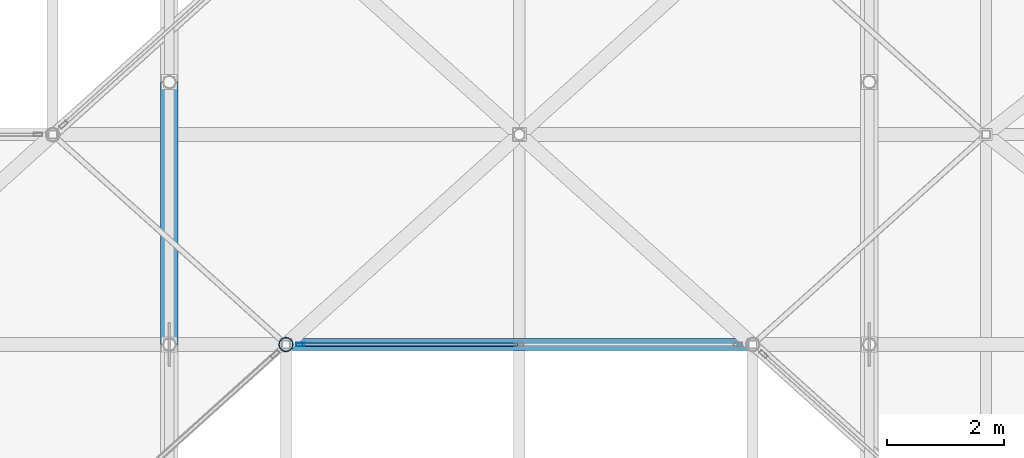
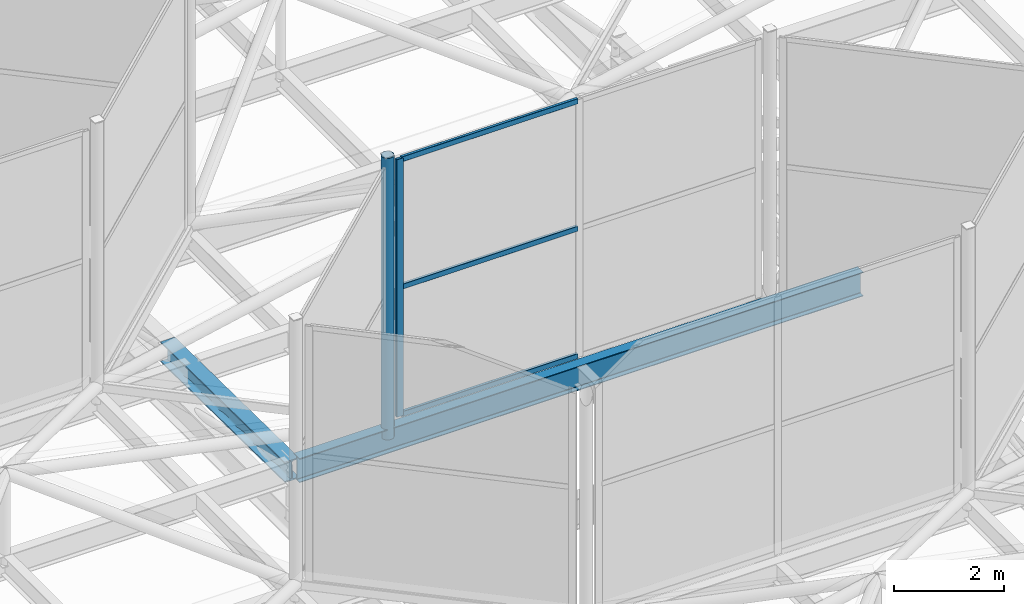
# One storey, part 120 of 239: 5 members, 2 beams, 1 element without a shape of its own.
"""IFC4 building model written with IfcOpenShell, lengths in metres."""

from ifc_helpers import new_model, si_unit, direction, frame, origin, origin_2d, place, context, subcontext, project, spatial, hollow_rectangle, hollow_circle, i_section, extrude, material, layer, layer_set, material_profile, profile_set, type_object, element, aggregate, save


model = new_model("IFC4")

# Units and contexts
model_context = context("Model", 3, precision=1e-05, world=origin(), true_north=direction((0.0, 1.0)))
body_context = subcontext(model_context, "Body", "Model", "MODEL_VIEW")
ifc_project = project(units=[si_unit("LENGTHUNIT", "METRE"), si_unit("AREAUNIT", "SQUARE_METRE"), si_unit("VOLUMEUNIT", "CUBIC_METRE"), si_unit("PLANEANGLEUNIT", "RADIAN"), si_unit("MASSUNIT", "GRAM", prefix="KILO")], contexts=[model_context])

# Site, building, storey
site_placement = place(None, origin())
site = spatial("IfcSite", under=ifc_project, at=site_placement, CompositionType="ELEMENT")
building_placement = place(site_placement, origin())
building = spatial("IfcBuilding", under=site, at=building_placement, Name="Dunvalen Ferry Terminal", CompositionType="ELEMENT")
storey_placement = place(building_placement, frame((0.0, 0.0, 9.840087890625)))
storey = spatial("IfcBuildingStorey", under=building, at=storey_placement, Name="L02", CompositionType="ELEMENT", Elevation=9.840087890625)

# Curtain wall, members
ifc_material_1 = material(Name="Anodised marine aluminium and solar-control glazing", Category="aluminium")
ifc_layer = layer(ifc_material_1, 0.179931640625, Name="Anodised marine aluminium and solar-control glazing")
ifc_layer_set = layer_set([ifc_layer], Name="Anodised marine aluminium and solar-control glazing")
curtain_wall_type = type_object("IfcCurtainWallType", Name="ENV-CW-SYS-05", PredefinedType="NOTDEFINED", material=ifc_layer_set)
curtain_wall_placement = place(storey_placement, origin())
curtain_wall = element("IfcCurtainWall", 1, at=curtain_wall_placement, inside=storey, type_object=curtain_wall_type, Name="L02 Curtain Wall CW-HEX-36-SK-5", PredefinedType="NOTDEFINED")
ifc_material_2 = material(Name="Anodised marine aluminium EN AW-6063 T6", Category="aluminium")
ifc_material_profile_1 = material_profile(ifc_material_2, hollow_rectangle(XDim=0.06005859375, YDim=0.14990234375, WallThickness=0.00341796875, InnerFilletRadius=0.00341796875, OuterFilletRadius=0.007080078125, at=origin_2d()), Name="Anodised marine aluminium EN AW-6063 T6")
ifc_profile_set_1 = profile_set([ifc_material_profile_1], Name="Anodised marine aluminium EN AW-6063 T6")
member_type_1 = type_object("IfcMemberType", Name="ENV-CW-MUL-3", PredefinedType="MULLION", material=ifc_profile_set_1)
member_1_placement = place(storey_placement, frame((74.25, 68.39990234375, 1.139892578125), z_axis=(0.0, 0.0, 1.0), x_axis=(0.0, -1.0, 0.0)))
member_1 = element("IfcMember", 2, at=member_1_placement, type_object=member_type_1, Name="CW-05 mullion 3", PredefinedType="MULLION", context=body_context, shape_type="SweptSolid", body=[
    extrude(hollow_rectangle(XDim=0.06005859375, YDim=0.14990234375, WallThickness=0.00341796875, InnerFilletRadius=0.00341796875, OuterFilletRadius=0.007080078125, at=origin_2d()), origin(), (0.0, 0.0, 1.0), 5.699951171875),
])
ifc_material_profile_2 = material_profile(ifc_material_2, hollow_rectangle(XDim=0.06005859375, YDim=0.114990234375, WallThickness=0.0029296875, InnerFilletRadius=0.0029296875, OuterFilletRadius=0.006103515625, at=origin_2d()), Name="Anodised marine aluminium EN AW-6063 T6")
ifc_profile_set_2 = profile_set([ifc_material_profile_2], Name="Anodised marine aluminium EN AW-6063 T6")
member_type_2 = type_object("IfcMemberType", Name="ENV-CW-TRN-3", PredefinedType="USERDEFINED", material=ifc_profile_set_2)
member_2_placement = place(storey_placement, frame((77.969970703125, 68.39990234375, 1.169921875), z_axis=(-1.0, 0.0, 0.0), x_axis=(0.0, -1.0, 0.0)))
member_2 = element("IfcMember", 3, at=member_2_placement, type_object=member_type_2, Name="CW-05 transom 2.1", ObjectType="TRANSOM", PredefinedType="USERDEFINED", context=body_context, shape_type="SweptSolid", body=[
    extrude(hollow_rectangle(XDim=0.06005859375, YDim=0.114990234375, WallThickness=0.0029296875, InnerFilletRadius=0.0029296875, OuterFilletRadius=0.006103515625, at=origin_2d()), origin(), (0.0, 0.0, 1.0), 3.68994140625),
])
member_3_placement = place(storey_placement, frame((77.969970703125, 68.39990234375, 3.989990234375), z_axis=(-1.0, 0.0, 0.0), x_axis=(0.0, -1.0, 0.0)))
member_3 = element("IfcMember", 4, at=member_3_placement, type_object=member_type_2, Name="CW-05 transom 2.2", ObjectType="TRANSOM", PredefinedType="USERDEFINED", context=body_context, shape_type="SweptSolid", body=[
    extrude(hollow_rectangle(XDim=0.06005859375, YDim=0.114990234375, WallThickness=0.0029296875, InnerFilletRadius=0.0029296875, OuterFilletRadius=0.006103515625, at=origin_2d()), origin(), (0.0, 0.0, 1.0), 3.68994140625),
])
member_4_placement = place(storey_placement, frame((77.969970703125, 68.39990234375, 6.809814453125), z_axis=(-1.0, 0.0, 0.0), x_axis=(0.0, -1.0, 0.0)))
member_4 = element("IfcMember", 5, at=member_4_placement, type_object=member_type_2, Name="CW-05 transom 2.3", ObjectType="TRANSOM", PredefinedType="USERDEFINED", context=body_context, shape_type="SweptSolid", body=[
    extrude(hollow_rectangle(XDim=0.06005859375, YDim=0.114990234375, WallThickness=0.0029296875, InnerFilletRadius=0.0029296875, OuterFilletRadius=0.006103515625, at=origin_2d()), origin(), (0.0, 0.0, 1.0), 3.68994140625),
])
aggregate(curtain_wall, [member_1, member_2, member_3, member_4])

# Beams
ifc_material_3 = material(Name="Steel S355", Category="steel")
ifc_material_profile_3 = material_profile(ifc_material_3, i_section(OverallWidth=0.300048828125, OverallDepth=0.449951171875, WebThickness=0.013916015625, FlangeThickness=0.02587890625, FilletRadius=0.027099609375, at=origin_2d()), Name="Steel S355")
ifc_profile_set_3 = profile_set([ifc_material_profile_3], Name="Steel S355")
beam_type_1 = type_object("IfcBeamType", Name="STR-BM-HEB450", PredefinedType="BEAM", material=ifc_profile_set_3)
beam_1_placement = place(storey_placement, frame((72.0, 68.39990234375, 0.719970703125), z_axis=(0.0, 0.999907293085, -0.01361635908), x_axis=(-1.0, 0.0, 0.0)))
element("IfcBeam", 6, at=beam_1_placement, inside=storey, type_object=beam_type_1, Name="Departure Hall Tied-Arch Rib 06.5", PredefinedType="BEAM", context=body_context, shape_type="SweptSolid", body=[
    extrude(i_section(OverallWidth=0.300048828125, OverallDepth=0.449951171875, WebThickness=0.013916015625, FlangeThickness=0.02587890625, FilletRadius=0.027099609375, at=origin_2d()), origin(), (0.0, 0.0, 1.0), 4.50048828125),
])
ifc_material_profile_4 = material_profile(ifc_material_3, i_section(OverallWidth=0.209228515625, OverallDepth=0.533203125, WebThickness=0.010009765625, FlangeThickness=0.015625, FilletRadius=0.0126953125, at=origin_2d()), Name="Steel S355")
ifc_profile_set_4 = profile_set([ifc_material_profile_4], Name="Steel S355")
beam_type_2 = type_object("IfcBeamType", Name="STR-BM-UKB533", PredefinedType="BEAM", material=ifc_profile_set_4)
beam_2_placement = place(storey_placement, frame((72.10009765625, 68.39990234375, 0.7333984375), z_axis=(1.0, 0.0, 0.0), x_axis=(0.0, 1.0, 0.0)))
element("IfcBeam", 7, at=beam_2_placement, inside=storey, type_object=beam_type_2, Name="Departure Hall Spine Girder B6.06", PredefinedType="BEAM", context=body_context, shape_type="SweptSolid", body=[
    extrude(i_section(OverallWidth=0.209228515625, OverallDepth=0.533203125, WebThickness=0.010009765625, FlangeThickness=0.015625, FilletRadius=0.0126953125, at=origin_2d()), origin(), (0.0, 0.0, 1.0), 11.7998046875),
])

# Member
ifc_material_profile_5 = material_profile(ifc_material_3, hollow_circle(Radius=0.122314453125, WallThickness=0.010009765625, at=origin_2d()), Name="Steel S355")
ifc_profile_set_5 = profile_set([ifc_material_profile_5], Name="Steel S355")
member_type_3 = type_object("IfcMemberType", Name="STR-MB-CHS244", PredefinedType="STRUT", material=ifc_profile_set_5)
member_5_placement = place(storey_placement, frame((74.0, 68.39990234375, 0.77001953125), z_axis=(0.0, 0.0, 1.0), x_axis=(1.0, 0.0, 0.0)))
element("IfcMember", 8, at=member_5_placement, inside=storey, type_object=member_type_3, Name="HEX-36 Skylight Lantern Corner Strut 6", PredefinedType="STRUT", context=body_context, shape_type="SweptSolid", body=[
    extrude(hollow_circle(Radius=0.122314453125, WallThickness=0.010009765625, at=origin_2d()), origin(), (0.0, 0.0, 1.0), 6.22998046875),
])

save(model, "model.ifc")
